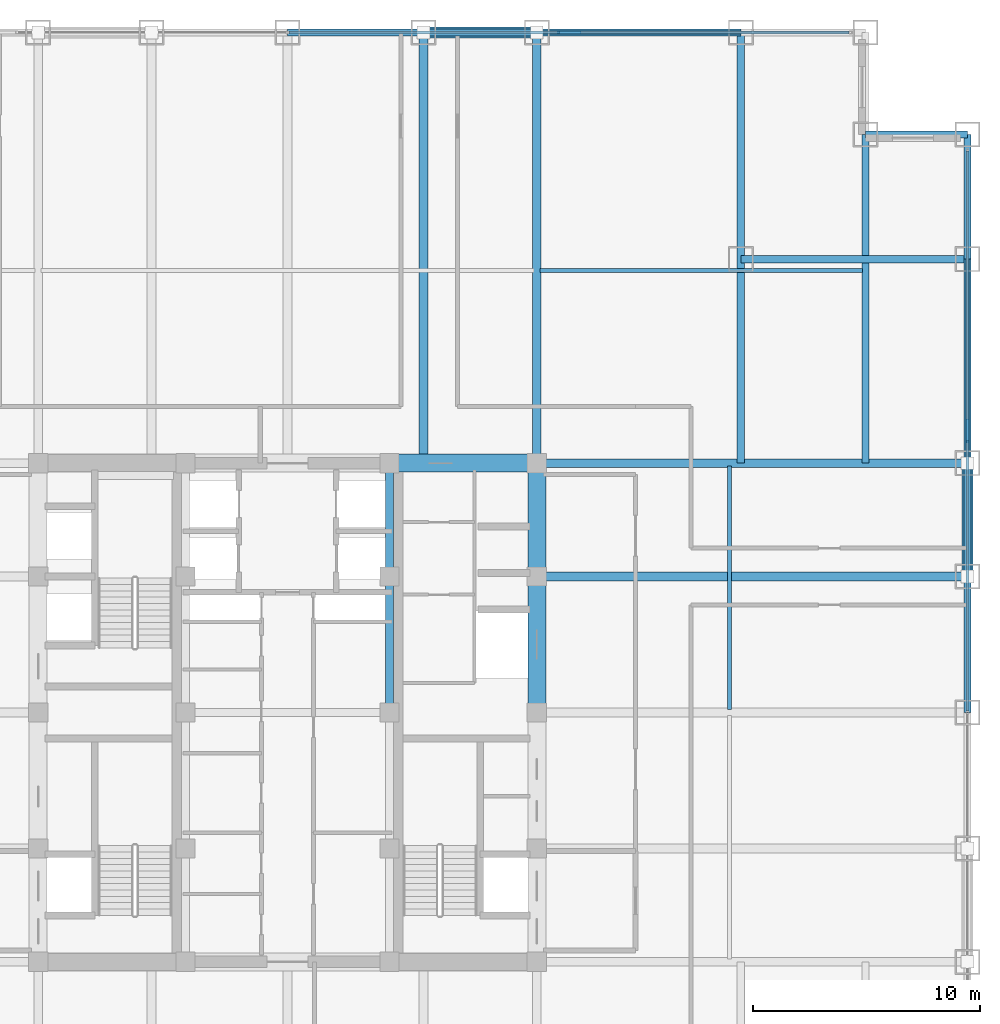
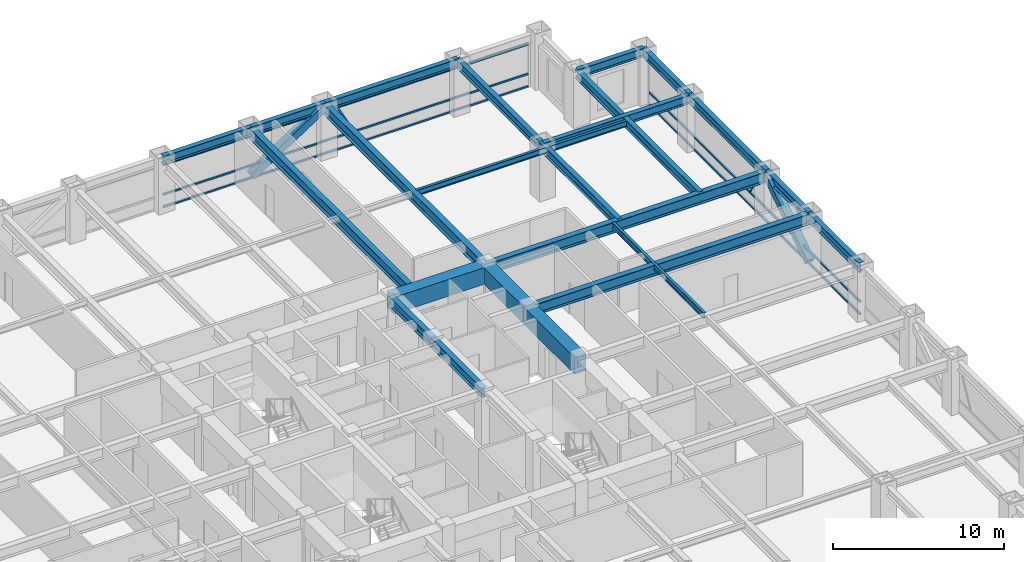
# One storey, part 17 of 24: 22 beams, 10 members, 2 elements without a shape of their own.
"""IFC4 building model written with IfcOpenShell, lengths in metres."""

from ifc_helpers import new_model, si_unit, direction, frame, origin, origin_2d, place, context, subcontext, project, spatial, rectangle, hollow_rectangle, i_section, extrude, source, transform, mapped, material, material_profile, profile_set, type_object, element, aggregate, save


model = new_model("IFC4")

# Units and contexts
model_context = context("Model", 3, precision=1e-05, world=origin(), true_north=direction((0.0, 1.0)))
body_context = subcontext(model_context, "Body", "Model", "MODEL_VIEW")
ifc_project = project(units=[si_unit("LENGTHUNIT", "METRE"), si_unit("AREAUNIT", "SQUARE_METRE"), si_unit("VOLUMEUNIT", "CUBIC_METRE"), si_unit("PLANEANGLEUNIT", "RADIAN"), si_unit("MASSUNIT", "GRAM", prefix="KILO")], contexts=[model_context])

# Site, building, storey
site_placement = place(None, origin())
site = spatial("IfcSite", under=ifc_project, at=site_placement, CompositionType="ELEMENT")
building_placement = place(site_placement, origin())
building = spatial("IfcBuilding", under=site, at=building_placement, Name="Khorayat Bourse Tower", CompositionType="ELEMENT")
storey_placement = place(building_placement, frame((0.0, 0.0, 179.10009765625)))
storey = spatial("IfcBuildingStorey", under=building, at=storey_placement, Name="L41", CompositionType="ELEMENT", Elevation=179.10009765625)

# Beams
ifc_material_1 = material(Name="Concrete C72/90", Category="concrete")
ifc_material_profile_1 = material_profile(ifc_material_1, rectangle(XDim=0.800048828125, YDim=1.199951171875, at=origin_2d()), Name="RC 800x1200")
ifc_profile_set_1 = profile_set([ifc_material_profile_1], Name="Concrete C72/90")
beam_type_1 = type_object("IfcBeamType", Name="BM-COUP-1200", PredefinedType="BEAM", material=ifc_profile_set_1)
shared_shape_1 = source(origin(), body_context, "Body", "SweptSolid", [
    extrude(rectangle(XDim=0.800048828125, YDim=1.199951171875, at=origin_2d()), origin(), (0.0, 0.0, 1.0), 5.0),
])
beam_1_placement = place(storey_placement, frame((11.0, 6.0, 3.179931640625), z_axis=(0.0, 1.0, 0.0), x_axis=(-1.0, 0.0, 0.0)))
element("IfcBeam", 1, at=beam_1_placement, inside=storey, type_object=beam_type_1, Name="L41 BM-COUP-1200 BM-L41-CRX-16", PredefinedType="BEAM", context=body_context, shape_type="MappedRepresentation", body=[
    mapped(shared_shape_1, transform((0.0, 0.0, 0.0), scale=1.0)),
])
shared_shape_2 = source(origin(), body_context, "Body", "SweptSolid", [
    extrude(rectangle(XDim=0.800048828125, YDim=1.199951171875, at=origin_2d()), origin(), (0.0, 0.0, 1.0), 6.0),
])
beam_2_placement = place(storey_placement, frame((11.0, 0.0, 3.179931640625), z_axis=(0.0, 1.0, 0.0), x_axis=(-1.0, 0.0, 0.0)))
element("IfcBeam", 2, at=beam_2_placement, inside=storey, type_object=beam_type_1, Name="L41 BM-COUP-1200 BM-L41-CRX-15", PredefinedType="BEAM", context=body_context, shape_type="MappedRepresentation", body=[
    mapped(shared_shape_2, transform((0.0, 0.0, 0.0), scale=1.0)),
])
ifc_material_2 = material(Name="Steel ASTM A992 Grade 50", Category="steel")
ifc_material_profile_2 = material_profile(ifc_material_2, i_section(OverallWidth=0.35498046875, OverallDepth=0.695068359375, WebThickness=0.015380859375, FlangeThickness=0.02490234375, FilletRadius=0.01806640625, at=origin_2d()), Name="W690X217")
ifc_profile_set_2 = profile_set([ifc_material_profile_2], Name="Steel ASTM A992 Grade 50")
beam_type_2 = type_object("IfcBeamType", Name="BM-GIRD-690", PredefinedType="BEAM", material=ifc_profile_set_2)
shared_shape_3 = source(origin(), body_context, "Body", "SweptSolid", [
    extrude(i_section(OverallWidth=0.35498046875, OverallDepth=0.695068359375, WebThickness=0.015380859375, FlangeThickness=0.02490234375, FilletRadius=0.01806640625, at=origin_2d()), origin(), (0.0, 0.0, 1.0), 5.0),
])
beam_3_placement = place(storey_placement, frame((4.5, 6.0, 3.432373046875), z_axis=(0.0, 1.0, 0.0), x_axis=(-1.0, 0.0, 0.0)))
element("IfcBeam", 3, at=beam_3_placement, inside=storey, type_object=beam_type_2, Name="L41 BM-GIRD-690 BM-L41-CRX-12", PredefinedType="BEAM", context=body_context, shape_type="MappedRepresentation", body=[
    mapped(shared_shape_3, transform((0.0, 0.0, 0.0), scale=1.0)),
])
shared_shape_4 = source(origin(), body_context, "Body", "SweptSolid", [
    extrude(i_section(OverallWidth=0.35498046875, OverallDepth=0.695068359375, WebThickness=0.015380859375, FlangeThickness=0.02490234375, FilletRadius=0.01806640625, at=origin_2d()), origin(), (0.0, 0.0, 1.0), 6.0),
])
beam_4_placement = place(storey_placement, frame((4.5, 0.0, 3.432373046875), z_axis=(0.0, 1.0, 0.0), x_axis=(-1.0, 0.0, 0.0)))
element("IfcBeam", 4, at=beam_4_placement, inside=storey, type_object=beam_type_2, Name="L41 BM-GIRD-690 BM-L41-CRX-11", PredefinedType="BEAM", context=body_context, shape_type="MappedRepresentation", body=[
    mapped(shared_shape_4, transform((0.0, 0.0, 0.0), scale=1.0)),
])
shared_shape_5 = source(origin(), body_context, "Body", "SweptSolid", [
    extrude(rectangle(XDim=0.800048828125, YDim=1.199951171875, at=origin_2d()), origin(), (0.0, 0.0, 1.0), 6.5),
])
beam_5_placement = place(storey_placement, frame((4.5, 11.0, 3.179931640625), z_axis=(1.0, 0.0, 0.0), x_axis=(0.0, 1.0, 0.0)))
element("IfcBeam", 5, at=beam_5_placement, inside=storey, type_object=beam_type_1, Name="L41 BM-COUP-1200 BM-L41-CRY-22", PredefinedType="BEAM", context=body_context, shape_type="MappedRepresentation", body=[
    mapped(shared_shape_5, transform((0.0, 0.0, 0.0), scale=1.0)),
])
ifc_material_profile_3 = material_profile(ifc_material_2, i_section(OverallWidth=0.381103515625, OverallDepth=0.77294921875, WebThickness=0.0166015625, FlangeThickness=0.027587890625, FilletRadius=0.01806640625, at=origin_2d()), Name="W760X257")
ifc_profile_set_3 = profile_set([ifc_material_profile_3], Name="Steel ASTM A992 Grade 50")
beam_type_3 = type_object("IfcBeamType", Name="BM-GIRD-760", PredefinedType="BEAM", material=ifc_profile_set_3)
shared_shape_6 = source(origin(), body_context, "Body", "SweptSolid", [
    extrude(i_section(OverallWidth=0.381103515625, OverallDepth=0.77294921875, WebThickness=0.0166015625, FlangeThickness=0.027587890625, FilletRadius=0.01806640625, at=origin_2d()), origin(), (0.0, 0.0, 1.0), 19.0),
])
for number, where, z_axis, x_axis, name in (
    (6, (6.0, 11.0, 3.393310546875), (0.0, 1.0, 0.0), (-1.0, 0.0, 0.0), "L41 BM-GIRD-760 BM-L41-RADY-070"),
    (7, (11.0, 11.0, 3.393310546875), (0.0, 1.0, 0.0), (-1.0, 0.0, 0.0), "L41 BM-GIRD-760 BM-L41-RADY-072"),
    (8, (11.0, 6.0, 3.393310546875), (1.0, 0.0, 0.0), (0.0, 1.0, 0.0), "L41 BM-GIRD-760 BM-L41-RADX-080"),
    (9, (11.0, 11.0, 3.393310546875), (1.0, 0.0, 0.0), (0.0, 1.0, 0.0), "L41 BM-GIRD-760 BM-L41-RADX-082"),
):
    element("IfcBeam", number, at=place(storey_placement, frame(where, z_axis=z_axis, x_axis=x_axis)), inside=storey, type_object=beam_type_3, Name=name, PredefinedType="BEAM", context=body_context, shape_type="MappedRepresentation", body=[
        mapped(shared_shape_6, transform((0.0, 0.0, 0.0), scale=1.0)),
    ])
ifc_material_profile_4 = material_profile(ifc_material_2, i_section(OverallWidth=0.324951171875, OverallDepth=0.615966796875, WebThickness=0.013916015625, FlangeThickness=0.021484375, FilletRadius=0.01611328125, at=origin_2d()), Name="W610X174")
ifc_profile_set_4 = profile_set([ifc_material_profile_4], Name="Steel ASTM A992 Grade 50")
beam_type_4 = type_object("IfcBeamType", Name="BM-GIRD-610", PredefinedType="BEAM", material=ifc_profile_set_4)
shared_shape_7 = source(origin(), body_context, "Body", "SweptSolid", [
    extrude(i_section(OverallWidth=0.324951171875, OverallDepth=0.615966796875, WebThickness=0.013916015625, FlangeThickness=0.021484375, FilletRadius=0.01611328125, at=origin_2d()), origin(), (0.0, 0.0, 1.0), 19.0),
])
beam_6_placement = place(storey_placement, frame((20.0, 11.0, 3.471923828125), z_axis=(0.0, 1.0, 0.0), x_axis=(-1.0, 0.0, 0.0)))
element("IfcBeam", 10, at=beam_6_placement, inside=storey, type_object=beam_type_4, Name="L41 BM-GIRD-610 BM-L41-CNRY-087", PredefinedType="BEAM", context=body_context, shape_type="MappedRepresentation", body=[
    mapped(shared_shape_7, transform((0.0, 0.0, 0.0), scale=1.0)),
])
shared_shape_8 = source(origin(), body_context, "Body", "SweptSolid", [
    extrude(i_section(OverallWidth=0.324951171875, OverallDepth=0.615966796875, WebThickness=0.013916015625, FlangeThickness=0.021484375, FilletRadius=0.01611328125, at=origin_2d()), origin(), (0.0, 0.0, 1.0), 14.5),
])
beam_7_placement = place(storey_placement, frame((25.5, 11.0, 3.471923828125), z_axis=(0.0, 1.0, 0.0), x_axis=(-1.0, 0.0, 0.0)))
element("IfcBeam", 11, at=beam_7_placement, inside=storey, type_object=beam_type_4, Name="L41 BM-GIRD-610 BM-L41-CNRY-091", PredefinedType="BEAM", context=body_context, shape_type="MappedRepresentation", body=[
    mapped(shared_shape_8, transform((0.0, 0.0, 0.0), scale=1.0)),
])
shared_shape_9 = source(origin(), body_context, "Body", "SweptSolid", [
    extrude(i_section(OverallWidth=0.324951171875, OverallDepth=0.615966796875, WebThickness=0.013916015625, FlangeThickness=0.021484375, FilletRadius=0.01611328125, at=origin_2d()), origin(), (0.0, 0.0, 1.0), 10.0),
])
beam_8_placement = place(storey_placement, frame((20.0, 20.0, 3.471923828125), z_axis=(1.0, 0.0, 0.0), x_axis=(0.0, 1.0, 0.0)))
element("IfcBeam", 12, at=beam_8_placement, inside=storey, type_object=beam_type_4, Name="L41 BM-GIRD-610 BM-L41-CNRX-094", PredefinedType="BEAM", context=body_context, shape_type="MappedRepresentation", body=[
    mapped(shared_shape_9, transform((0.0, 0.0, 0.0), scale=1.0)),
])
ifc_material_profile_5 = material_profile(ifc_material_2, i_section(OverallWidth=0.180908203125, OverallDepth=0.4169921875, WebThickness=0.010986328125, FlangeThickness=0.018310546875, FilletRadius=0.011962890625, at=origin_2d()), Name="W410X85")
ifc_profile_set_5 = profile_set([ifc_material_profile_5], Name="Steel ASTM A992 Grade 50")
beam_type_5 = type_object("IfcBeamType", Name="BM-JOIST-410", PredefinedType="JOIST", material=ifc_profile_set_5)
shared_shape_10 = source(origin(), body_context, "Body", "SweptSolid", [
    extrude(i_section(OverallWidth=0.180908203125, OverallDepth=0.4169921875, WebThickness=0.010986328125, FlangeThickness=0.018310546875, FilletRadius=0.011962890625, at=origin_2d()), origin(), (0.0, 0.0, 1.0), 14.240234375),
])
beam_9_placement = place(storey_placement, frame((11.1298828125, 19.5, 3.5712890625), z_axis=(1.0, 0.0, 0.0), x_axis=(0.0, 1.0, 0.0)))
element("IfcBeam", 13, at=beam_9_placement, inside=storey, type_object=beam_type_5, Name="L41 BM-JOIST-410 BM-L41-JSTX-101", PredefinedType="JOIST", context=body_context, shape_type="MappedRepresentation", body=[
    mapped(shared_shape_10, transform((0.0, 0.0, 0.0), scale=1.0)),
])
shared_shape_11 = source(origin(), body_context, "Body", "SweptSolid", [
    extrude(i_section(OverallWidth=0.180908203125, OverallDepth=0.4169921875, WebThickness=0.010986328125, FlangeThickness=0.018310546875, FilletRadius=0.011962890625, at=origin_2d()), origin(), (0.0, 0.0, 1.0), 10.740234375),
])
beam_10_placement = place(storey_placement, frame((19.5, 0.1298828125, 3.5712890625), z_axis=(0.0, 1.0, 0.0), x_axis=(-1.0, 0.0, 0.0)))
element("IfcBeam", 14, at=beam_10_placement, inside=storey, type_object=beam_type_5, Name="L41 BM-JOIST-410 BM-L41-JSTY-105", PredefinedType="JOIST", context=body_context, shape_type="MappedRepresentation", body=[
    mapped(shared_shape_11, transform((0.0, 0.0, 0.0), scale=1.0)),
])
ifc_material_profile_6 = material_profile(ifc_material_2, i_section(OverallWidth=0.324951171875, OverallDepth=0.615966796875, WebThickness=0.013916015625, FlangeThickness=0.021484375, FilletRadius=0.01611328125, at=origin_2d()), Name="W610X174")
ifc_profile_set_6 = profile_set([ifc_material_profile_6], Name="Steel ASTM A992 Grade 50")
beam_type_6 = type_object("IfcBeamType", Name="BM-SPAN-610", PredefinedType="SPANDREL", material=ifc_profile_set_6)
shared_shape_12 = source(origin(), body_context, "Body", "SweptSolid", [
    extrude(i_section(OverallWidth=0.324951171875, OverallDepth=0.615966796875, WebThickness=0.013916015625, FlangeThickness=0.021484375, FilletRadius=0.01611328125, at=origin_2d()), origin(), (0.0, 0.0, 1.0), 5.5),
])
beam_11_placement = place(storey_placement, frame((30.0, 20.0, 3.471923828125), z_axis=(0.0, 1.0, 0.0), x_axis=(-1.0, 0.0, 0.0)))
element("IfcBeam", 15, at=beam_11_placement, inside=storey, type_object=beam_type_6, Name="L41 BM-SPAN-610 BM-L41-SPN-041", PredefinedType="SPANDREL", context=body_context, shape_type="MappedRepresentation", body=[
    mapped(shared_shape_12, transform((0.0, 0.0, 0.0), scale=1.0)),
])
shared_shape_13 = source(origin(), body_context, "Body", "SweptSolid", [
    extrude(i_section(OverallWidth=0.324951171875, OverallDepth=0.615966796875, WebThickness=0.013916015625, FlangeThickness=0.021484375, FilletRadius=0.01611328125, at=origin_2d()), origin(), (0.0, 0.0, 1.0), 9.0),
])
for number, where, z_axis, x_axis, name in (
    (16, (30.0, 11.0, 3.471923828125), (0.0, 1.0, 0.0), (-1.0, 0.0, 0.0), "L41 BM-SPAN-610 BM-L41-SPN-040"),
    (17, (11.0, 30.0, 3.471923828125), (1.0, 0.0, 0.0), (0.0, 1.0, 0.0), "L41 BM-SPAN-610 BM-L41-SPN-045"),
):
    element("IfcBeam", number, at=place(storey_placement, frame(where, z_axis=z_axis, x_axis=x_axis)), inside=storey, type_object=beam_type_6, Name=name, PredefinedType="SPANDREL", context=body_context, shape_type="MappedRepresentation", body=[
        mapped(shared_shape_13, transform((0.0, 0.0, 0.0), scale=1.0)),
    ])
shared_shape_14 = source(origin(), body_context, "Body", "SweptSolid", [
    extrude(i_section(OverallWidth=0.324951171875, OverallDepth=0.615966796875, WebThickness=0.013916015625, FlangeThickness=0.021484375, FilletRadius=0.01611328125, at=origin_2d()), origin(), (0.0, 0.0, 1.0), 5.0),
])
for number, where, z_axis, x_axis, name in (
    (18, (30.0, 6.0, 3.471923828125), (0.0, 1.0, 0.0), (-1.0, 0.0, 0.0), "L41 BM-SPAN-610 BM-L41-SPN-039"),
    (19, (6.0, 30.0, 3.471923828125), (1.0, 0.0, 0.0), (0.0, 1.0, 0.0), "L41 BM-SPAN-610 BM-L41-SPN-046"),
):
    element("IfcBeam", number, at=place(storey_placement, frame(where, z_axis=z_axis, x_axis=x_axis)), inside=storey, type_object=beam_type_6, Name=name, PredefinedType="SPANDREL", context=body_context, shape_type="MappedRepresentation", body=[
        mapped(shared_shape_14, transform((0.0, 0.0, 0.0), scale=1.0)),
    ])
shared_shape_15 = source(origin(), body_context, "Body", "SweptSolid", [
    extrude(i_section(OverallWidth=0.324951171875, OverallDepth=0.615966796875, WebThickness=0.013916015625, FlangeThickness=0.021484375, FilletRadius=0.01611328125, at=origin_2d()), origin(), (0.0, 0.0, 1.0), 6.0),
])
for number, where, z_axis, x_axis, name in (
    (20, (30.0, 0.0, 3.471923828125), (0.0, 1.0, 0.0), (-1.0, 0.0, 0.0), "L41 BM-SPAN-610 BM-L41-SPN-038"),
    (21, (0.0, 30.0, 3.471923828125), (1.0, 0.0, 0.0), (0.0, 1.0, 0.0), "L41 BM-SPAN-610 BM-L41-SPN-047"),
):
    element("IfcBeam", number, at=place(storey_placement, frame(where, z_axis=z_axis, x_axis=x_axis)), inside=storey, type_object=beam_type_6, Name=name, PredefinedType="SPANDREL", context=body_context, shape_type="MappedRepresentation", body=[
        mapped(shared_shape_15, transform((0.0, 0.0, 0.0), scale=1.0)),
    ])
shared_shape_16 = source(origin(), body_context, "Body", "SweptSolid", [
    extrude(i_section(OverallWidth=0.324951171875, OverallDepth=0.615966796875, WebThickness=0.013916015625, FlangeThickness=0.021484375, FilletRadius=0.01611328125, at=origin_2d()), origin(), (0.0, 0.0, 1.0), 4.5),
])
beam_12_placement = place(storey_placement, frame((25.5, 25.5, 3.471923828125), z_axis=(1.0, 0.0, 0.0), x_axis=(0.0, 1.0, 0.0)))
element("IfcBeam", 22, at=beam_12_placement, inside=storey, type_object=beam_type_6, Name="L41 BM-SPAN-610 BM-L41-SPN-042", PredefinedType="SPANDREL", context=body_context, shape_type="MappedRepresentation", body=[
    mapped(shared_shape_16, transform((0.0, 0.0, 0.0), scale=1.0)),
])

# Members
ifc_material_3 = material(Name="Steel EN 10025-4 S460M", Category="steel")
ifc_material_profile_7 = material_profile(ifc_material_3, hollow_rectangle(XDim=0.5, YDim=0.5, WallThickness=0.028076171875, at=origin_2d()), Name="HSS 500x500x28")
ifc_profile_set_7 = profile_set([ifc_material_profile_7], Name="Steel EN 10025-4 S460M")
member_type_1 = type_object("IfcMemberType", Name="MBR-TUBE-500", PredefinedType="BRACE", material=ifc_profile_set_7)
shared_shape_17 = source(origin(), body_context, "Body", "SweptSolid", [
    extrude(hollow_rectangle(XDim=0.5, YDim=0.5, WallThickness=0.028076171875, at=origin_2d()), origin(), (0.0, 0.0, 1.0), 5.979736328125),
])
for number, where, z_axis, x_axis, name in (
    (23, (6.0, 30.0, 0.25), (0.836160261256, 0.0, 0.548485202623), (0.0, 1.0, 0.0), "L41 Perimeter Tube Brace 04"),
    (24, (30.0, 6.0, 0.25), (0.0, 0.836160261256, 0.548485202623), (-1.0, 0.0, 0.0), "L41 Perimeter Tube Brace 08"),
):
    element("IfcMember", number, at=place(storey_placement, frame(where, z_axis=z_axis, x_axis=x_axis)), inside=storey, type_object=member_type_1, Name=name, PredefinedType="BRACE", context=body_context, shape_type="MappedRepresentation", body=[
        mapped(shared_shape_17, transform((0.0, 0.0, 0.0), scale=1.0)),
    ])

# Curtain wall, member
ifc_material_4 = material(Name="Aluminium EN AW-6063 T6", Category="aluminium")
curtain_wall_type = type_object("IfcCurtainWallType", Name="CW-SYS-03", PredefinedType="NOTDEFINED", material=ifc_material_4)
curtain_wall_1_placement = place(storey_placement, origin())
curtain_wall_1 = element("IfcCurtainWall", 25, at=curtain_wall_1_placement, inside=storey, type_object=curtain_wall_type, Name="L41 Curtain Wall CW-L41-N1", PredefinedType="NOTDEFINED")
ifc_material_profile_8 = material_profile(ifc_material_4, hollow_rectangle(XDim=0.1201171875, YDim=0.1201171875, WallThickness=0.0048828125, at=origin_2d()), Name="ALU 120x120x5")
ifc_profile_set_8 = profile_set([ifc_material_profile_8], Name="Aluminium EN AW-6063 T6")
member_type_2 = type_object("IfcMemberType", Name="CWM-DIAG-120", PredefinedType="MULLION", material=ifc_profile_set_8)
shared_shape_18 = source(origin(), body_context, "Body", "SweptSolid", [
    extrude(hollow_rectangle(XDim=0.1201171875, YDim=0.1201171875, WallThickness=0.0048828125, at=origin_2d()), origin(), (0.0, 0.0, 1.0), 2.079345703125),
])
member_1_placement = place(storey_placement, frame((12.904296875, 30.0, 1.08984375), z_axis=(-0.465760949701, 0.0, 0.884910581773), x_axis=(0.0, -1.0, 0.0)))
member_1 = element("IfcMember", 26, at=member_1_placement, type_object=member_type_2, Name="CW-L41-N1 Faceted Diagonal Mullion 2", PredefinedType="MULLION", context=body_context, shape_type="MappedRepresentation", body=[
    mapped(shared_shape_18, transform((0.0, 0.0, 0.0), scale=1.0)),
])

curtain_wall_2_placement = place(storey_placement, origin())
curtain_wall_2 = element("IfcCurtainWall", 27, at=curtain_wall_2_placement, inside=storey, type_object=curtain_wall_type, Name="L41 Curtain Wall CW-L41-E1", PredefinedType="NOTDEFINED")
member_2_placement = place(storey_placement, frame((30.0, 12.904296875, 1.08984375), z_axis=(0.0, -0.465760949701, 0.884910581773), x_axis=(1.0, 0.0, 0.0)))
member_2 = element("IfcMember", 28, at=member_2_placement, type_object=member_type_2, Name="CW-L41-E1 Faceted Diagonal Mullion 2", PredefinedType="MULLION", context=body_context, shape_type="MappedRepresentation", body=[
    mapped(shared_shape_18, transform((0.0, 0.0, 0.0), scale=1.0)),
])

# Member
ifc_material_profile_9 = material_profile(ifc_material_4, hollow_rectangle(XDim=0.1201171875, YDim=0.1201171875, WallThickness=0.0048828125, at=origin_2d()), Name="ALU 120x120x5")
ifc_profile_set_9 = profile_set([ifc_material_profile_9], Name="Aluminium EN AW-6063 T6")
member_type_3 = type_object("IfcMemberType", Name="CWT-HORZ-120", PredefinedType="USERDEFINED", material=ifc_profile_set_9)
shared_shape_19 = source(origin(), body_context, "Body", "SweptSolid", [
    extrude(hollow_rectangle(XDim=0.1201171875, YDim=0.1201171875, WallThickness=0.0048828125, at=origin_2d()), origin(), (0.0, 0.0, 1.0), 24.719970703125),
])
member_3_placement = place(storey_placement, frame((0.06005859375, 30.0, 0.059814453125), z_axis=(1.0, 0.0, 0.0), x_axis=(0.0, 1.0, 0.0)))
member_3 = element("IfcMember", 29, at=member_3_placement, type_object=member_type_3, Name="CW-L41-N1 Horizontal Transom 2-1", ObjectType="TRANSOM", PredefinedType="USERDEFINED", context=body_context, shape_type="MappedRepresentation", body=[
    mapped(shared_shape_19, transform((0.0, 0.0, 0.0), scale=1.0)),
])

member_4_placement = place(storey_placement, frame((0.06005859375, 30.0, 0.949951171875), z_axis=(1.0, 0.0, 0.0), x_axis=(0.0, 1.0, 0.0)))
member_4 = element("IfcMember", 30, at=member_4_placement, type_object=member_type_3, Name="CW-L41-N1 Horizontal Transom 2-2", ObjectType="TRANSOM", PredefinedType="USERDEFINED", context=body_context, shape_type="MappedRepresentation", body=[
    mapped(shared_shape_19, transform((0.0, 0.0, 0.0), scale=1.0)),
])

member_5_placement = place(storey_placement, frame((0.06005859375, 30.0, 3.06982421875), z_axis=(1.0, 0.0, 0.0), x_axis=(0.0, 1.0, 0.0)))
member_5 = element("IfcMember", 31, at=member_5_placement, type_object=member_type_3, Name="CW-L41-N1 Horizontal Transom 2-3", ObjectType="TRANSOM", PredefinedType="USERDEFINED", context=body_context, shape_type="MappedRepresentation", body=[
    mapped(shared_shape_19, transform((0.0, 0.0, 0.0), scale=1.0)),
])

aggregate(curtain_wall_1, [member_3, member_4, member_5, member_1])

member_6_placement = place(storey_placement, frame((30.0, 0.06005859375, 0.059814453125), z_axis=(0.0, 1.0, 0.0), x_axis=(-1.0, 0.0, 0.0)))
member_6 = element("IfcMember", 32, at=member_6_placement, type_object=member_type_3, Name="CW-L41-E1 Horizontal Transom 2-1", ObjectType="TRANSOM", PredefinedType="USERDEFINED", context=body_context, shape_type="MappedRepresentation", body=[
    mapped(shared_shape_19, transform((0.0, 0.0, 0.0), scale=1.0)),
])

member_7_placement = place(storey_placement, frame((30.0, 0.06005859375, 0.949951171875), z_axis=(0.0, 1.0, 0.0), x_axis=(-1.0, 0.0, 0.0)))
member_7 = element("IfcMember", 33, at=member_7_placement, type_object=member_type_3, Name="CW-L41-E1 Horizontal Transom 2-2", ObjectType="TRANSOM", PredefinedType="USERDEFINED", context=body_context, shape_type="MappedRepresentation", body=[
    mapped(shared_shape_19, transform((0.0, 0.0, 0.0), scale=1.0)),
])

member_8_placement = place(storey_placement, frame((30.0, 0.06005859375, 3.06982421875), z_axis=(0.0, 1.0, 0.0), x_axis=(-1.0, 0.0, 0.0)))
member_8 = element("IfcMember", 34, at=member_8_placement, type_object=member_type_3, Name="CW-L41-E1 Horizontal Transom 2-3", ObjectType="TRANSOM", PredefinedType="USERDEFINED", context=body_context, shape_type="MappedRepresentation", body=[
    mapped(shared_shape_19, transform((0.0, 0.0, 0.0), scale=1.0)),
])

aggregate(curtain_wall_2, [member_6, member_7, member_8, member_2])

save(model, "model.ifc")
